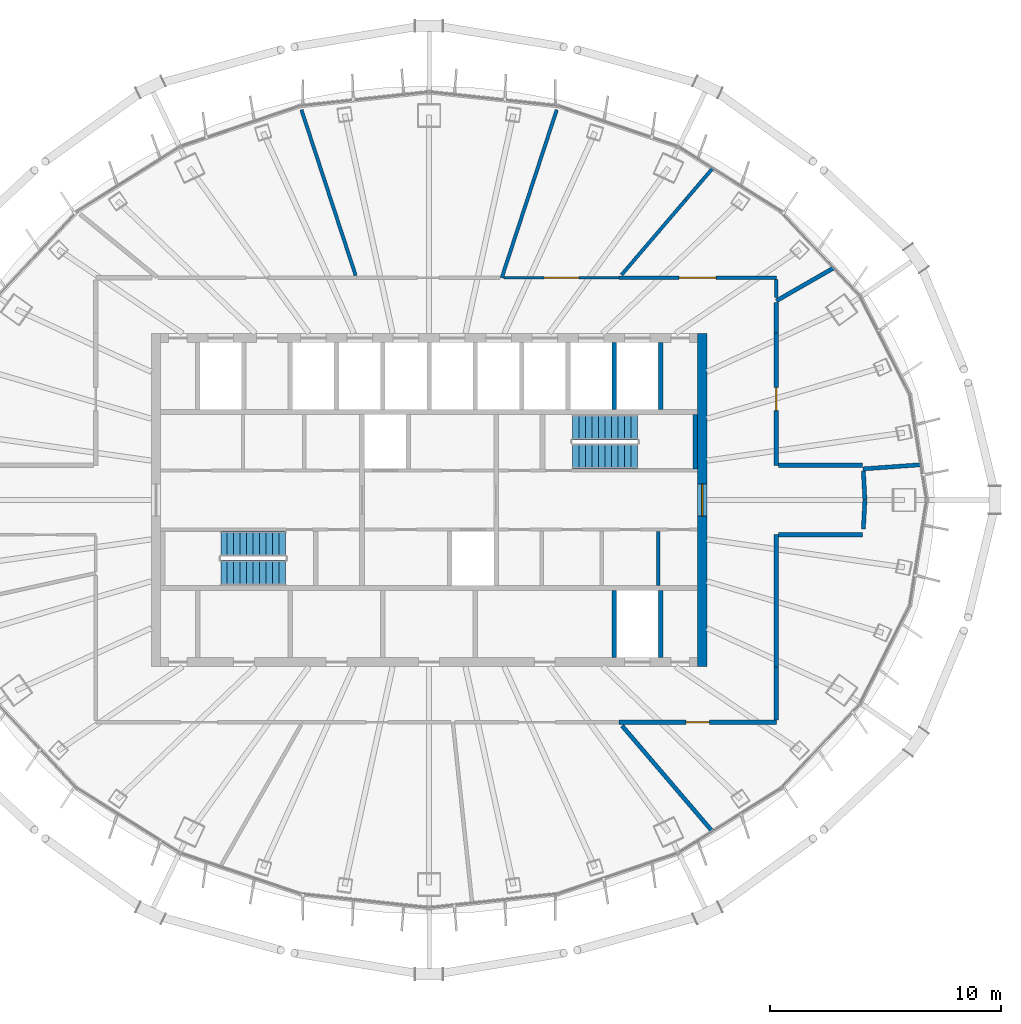
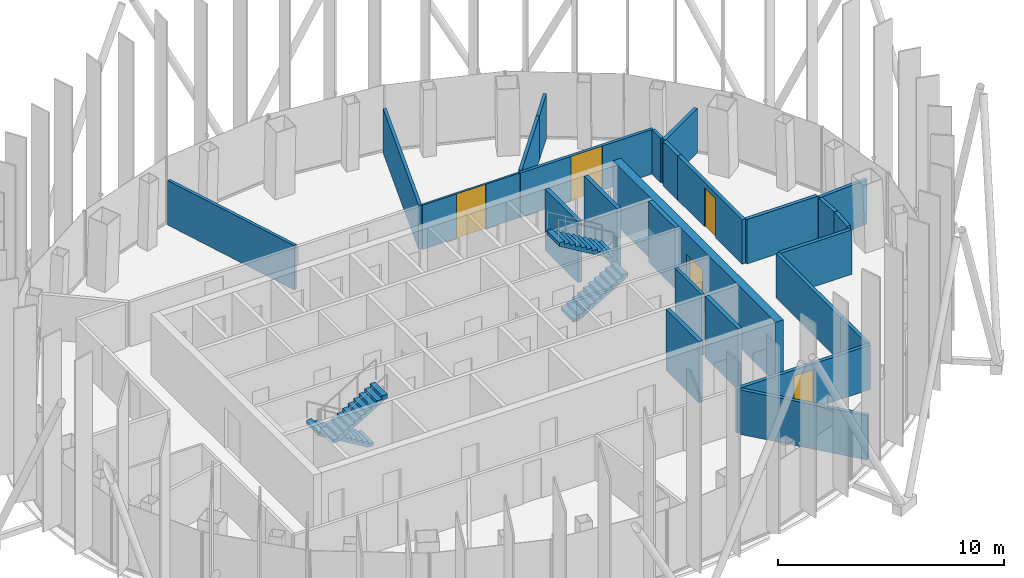
# One storey, part 12 of 20: 26 walls, 5 doors, 4 stair flights, 5 openings, 2 elements without a shape of their own.
"""IFC4 building model written with IfcOpenShell, lengths in metres."""

import ifcopenshell
import ifcopenshell.guid

model = None  # the IFC model being written
_history = None  # IfcOwnerHistory: only IFC2X3 demands one
_inside = {}  # id of a spatial element -> (the spatial element, [elements in it])
_under = {}  # id of a project, library or spatial element -> (it, [spatial elements below it])
_declared = {}  # id of a project -> (the project, [libraries it declares])
_typed = {}  # id of a type object -> (the type object, [elements of that type])
_made_of = {}  # id of a material, layer set ... -> (it, [elements and type objects made of it])


def new_model(schema):
    """Start an empty IFC model of exactly this schema.

    Asked for "IFC4X3", IfcOpenShell would pick the latest addendum, in which some entities
    have other attributes; the version numbers below select the first issue.
    IFC2X3 requires an IfcOwnerHistory on every rooted entity: one is made here for all.
    """
    global model, _history
    if schema == "IFC4X3":
        model = ifcopenshell.file(schema_version=(4, 3, 0, 0))
    else:
        model = ifcopenshell.file(schema=schema)
    _inside.clear()
    _under.clear()
    _declared.clear()
    _typed.clear()
    _made_of.clear()
    _history = None
    if model.schema == "IFC2X3":
        org = make("IfcOrganization", Name="unknown")
        user = make(
            "IfcPersonAndOrganization",
            ThePerson=make("IfcPerson", FamilyName="unknown"),
            TheOrganization=org,
        )
        app = make(
            "IfcApplication",
            ApplicationDeveloper=org,
            Version="unknown",
            ApplicationFullName="unknown",
            ApplicationIdentifier="unknown",
        )
        _history = make(
            "IfcOwnerHistory",
            OwningUser=user,
            OwningApplication=app,
            ChangeAction="ADDED",
            CreationDate=0,
        )
    return model


def make(cls, **values):
    """One entity of the class cls with the attributes given. An attribute that is None is left unset."""
    return model.create_entity(
        cls, **{name: value for name, value in values.items() if value is not None}
    )


def rooted(cls, **values):
    """An entity with a GlobalId (a new one), such as an element, a storey or a relation."""
    return make(cls, GlobalId=ifcopenshell.guid.new(), OwnerHistory=_history, **values)


def si_unit(unit_type, name, prefix=None):
    """IfcSIUnit, for example si_unit("LENGTHUNIT", "METRE", prefix="MILLI")."""
    return make("IfcSIUnit", UnitType=unit_type, Prefix=prefix, Name=name)


def assignment(units):
    """IfcUnitAssignment: the units of a project."""
    return None if units is None else make("IfcUnitAssignment", Units=units)


def point(xyz):
    """IfcCartesianPoint."""
    return None if xyz is None else make("IfcCartesianPoint", Coordinates=xyz)


def direction(xyz):
    """IfcDirection."""
    return None if xyz is None else make("IfcDirection", DirectionRatios=xyz)


def frame(location, z_axis=None, x_axis=None):
    """IfcAxis2Placement3D, a coordinate frame: its origin and axes. An axis left out is left unset."""
    return make(
        "IfcAxis2Placement3D",
        Location=point(location),
        Axis=direction(z_axis),
        RefDirection=direction(x_axis),
    )


def frame_2d(location, x_axis=None):
    """IfcAxis2Placement2D, a coordinate frame in the plane: its origin and x axis."""
    return make(
        "IfcAxis2Placement2D", Location=point(location), RefDirection=direction(x_axis)
    )


def origin():
    """The frame at (0, 0, 0) with its axes left unset."""
    return frame((0.0, 0.0, 0.0))


def place(relative_to, where):
    """IfcLocalPlacement: puts the frame where relative to a parent placement (None: the world)."""
    return make(
        "IfcLocalPlacement", PlacementRelTo=relative_to, RelativePlacement=where
    )


def context(
    kind, dimensions, precision=None, world=None, true_north=None, identifier=None
):
    """IfcGeometricRepresentationContext, for example the 3D "Model" context."""
    return make(
        "IfcGeometricRepresentationContext",
        ContextIdentifier=identifier,
        ContextType=kind,
        CoordinateSpaceDimension=dimensions,
        Precision=precision,
        WorldCoordinateSystem=world,
        TrueNorth=true_north,
    )


def subcontext(parent, identifier, kind, view, scale=None):
    """IfcGeometricRepresentationSubContext, for example "Body" below "Model"."""
    return make(
        "IfcGeometricRepresentationSubContext",
        ContextIdentifier=identifier,
        ContextType=kind,
        ParentContext=parent,
        TargetScale=scale,
        TargetView=view,
    )


def project(units=None, contexts=None):
    """IfcProject with its units and contexts."""
    return rooted(
        "IfcProject",
        Name="project",
        RepresentationContexts=contexts,
        UnitsInContext=assignment(units),
    )


def spatial(cls, under=None, at=None, **own):
    """A site, building, storey or space (cls), placed at a placement, below another one or the project."""
    s = rooted(cls, ObjectPlacement=at, **own)
    if under is not None:
        _under.setdefault(under.id(), (under, []))[1].append(s)
    return s


def polyline(points):
    """IfcPolyline through the points."""
    return make("IfcPolyline", Points=[point(p) for p in points])


def profile(cls, at=None, kind="AREA", **sizes):
    """A parametric profile (cls). Its sizes go by their IFC names, for example OverallWidth=200.0."""
    return make(cls, ProfileType=kind, Position=at, **sizes)


def rectangle(**sizes):
    """IfcRectangleProfileDef."""
    return profile("IfcRectangleProfileDef", **sizes)


def outline(outer, holes=None, kind="AREA"):
    """IfcArbitraryClosedProfileDef: a profile drawn as a closed curve; with holes, ...WithVoids."""
    if holes is None:
        return make("IfcArbitraryClosedProfileDef", ProfileType=kind, OuterCurve=outer)
    return make(
        "IfcArbitraryProfileDefWithVoids",
        ProfileType=kind,
        OuterCurve=outer,
        InnerCurves=holes,
    )


def extrude(swept, where, along, depth):
    """IfcExtrudedAreaSolid: the profile swept, set in the frame where, extruded along a direction by depth."""
    return make(
        "IfcExtrudedAreaSolid",
        SweptArea=swept,
        Position=where,
        ExtrudedDirection=direction(along),
        Depth=depth,
    )


def shape(context_of_items, identifier, shape_type, items):
    """IfcShapeRepresentation: the items that make up one representation, for example the "Body"."""
    return make(
        "IfcShapeRepresentation",
        ContextOfItems=context_of_items,
        RepresentationIdentifier=identifier,
        RepresentationType=shape_type,
        Items=items,
    )


def material(Name=None, Category=None):
    """IfcMaterial."""
    return make("IfcMaterial", Name=Name, Category=Category)


def layer(
    of_material, thickness, ventilated=None, Name=None, Category=None, Priority=None
):
    """IfcMaterialLayer: one layer of a wall or slab, of a material (None: an air gap)."""
    return make(
        "IfcMaterialLayer",
        Material=of_material,
        LayerThickness=thickness,
        IsVentilated=ventilated,
        Name=Name,
        Category=Category,
        Priority=Priority,
    )


def layer_set(layers, Name=None):
    """IfcMaterialLayerSet."""
    return make("IfcMaterialLayerSet", MaterialLayers=layers, LayerSetName=Name)


def made_of(thing, what):
    """Note that an element or type object is made of a material, layer set ...; save() writes the relation."""
    if what is not None:
        _made_of.setdefault(what.id(), (what, []))[1].append(thing)
    return thing


def type_object(cls, material=None, **own):
    """A type object (cls), such as IfcWallType, which elements share."""
    return made_of(rooted(cls, **own), material)


def element(
    cls,
    number,
    at=None,
    inside=None,
    cuts=None,
    type_object=None,
    material=None,
    context=None,
    identifier="Body",
    shape_type=None,
    held_by="IfcProductDefinitionShape",
    body=None,
    shapes=None,
    **own,
):
    """One element of the class cls, such as IfcWall. Its Tag is "e" and its number.

    at: its placement. inside: the storey or other place that contains it. cuts: it is an
    opening in that element (IfcRelVoidsElement). A single representation is given by context,
    identifier, shape_type and body (its items); several are given by shapes. held_by: the class
    of the entity that holds the representations. save() writes the other relations.
    """
    e = rooted(cls, Tag="e%d" % number, ObjectPlacement=at, **own)
    if body is not None:
        shapes = [shape(context, identifier, shape_type, body)]
    if shapes is not None:
        e.Representation = make(held_by, Representations=shapes)
    if inside is not None:
        _inside.setdefault(inside.id(), (inside, []))[1].append(e)
    if cuts is not None:
        rooted(
            "IfcRelVoidsElement", RelatingBuildingElement=cuts, RelatedOpeningElement=e
        )
    if type_object is not None:
        _typed.setdefault(type_object.id(), (type_object, []))[1].append(e)
    return made_of(e, material)


def fill(opening, filler):
    """IfcRelFillsElement: the door or window that sits in an opening."""
    return rooted(
        "IfcRelFillsElement",
        RelatingOpeningElement=opening,
        RelatedBuildingElement=filler,
    )


def aggregate(whole, parts):
    """IfcRelAggregates: a whole, such as a stair, and the parts it consists of."""
    return rooted("IfcRelAggregates", RelatingObject=whole, RelatedObjects=parts)


def save(model, path):
    """Write the relations noted so far, then the file.

    IfcRelAggregates (storeys below a building ...), IfcRelContainedInSpatialStructure (elements
    in a storey), IfcRelDefinesByType, IfcRelAssociatesMaterial and IfcRelDeclares: one each for
    every whole, place, type object, material and project.
    """
    for whole, parts in _under.values():
        aggregate(whole, parts)
    for where, things in _inside.values():
        rooted(
            "IfcRelContainedInSpatialStructure",
            RelatedElements=things,
            RelatingStructure=where,
        )
    for kind, things in _typed.values():
        rooted("IfcRelDefinesByType", RelatedObjects=things, RelatingType=kind)
    for what, things in _made_of.values():
        rooted("IfcRelAssociatesMaterial", RelatedObjects=things, RelatingMaterial=what)
    for by, libraries in _declared.values():
        rooted("IfcRelDeclares", RelatingContext=by, RelatedDefinitions=libraries)
    model.write(path)


model = new_model("IFC4")

# Units and contexts
model_context = context("Model", 3, precision=1e-05, world=origin(), true_north=direction((0.0, 1.0)))
body_context = subcontext(model_context, "Body", "Model", "MODEL_VIEW")
ifc_project = project(units=[si_unit("LENGTHUNIT", "METRE"), si_unit("AREAUNIT", "SQUARE_METRE"), si_unit("VOLUMEUNIT", "CUBIC_METRE"), si_unit("PLANEANGLEUNIT", "RADIAN"), si_unit("MASSUNIT", "GRAM", prefix="KILO")], contexts=[model_context])

# Site, building, storey
site_placement = place(None, origin())
site = spatial("IfcSite", under=ifc_project, at=site_placement, CompositionType="ELEMENT")
building_placement = place(site_placement, origin())
building = spatial("IfcBuilding", under=site, at=building_placement, Name="Siaravel Broadcast Tower", CompositionType="ELEMENT")
storey_placement = place(building_placement, frame((0.0, 0.0, 228.199951171875)))
storey = spatial("IfcBuildingStorey", under=building, at=storey_placement, Name="L55", CompositionType="ELEMENT", Elevation=228.199951171875)

# Wall
ifc_material_1 = material(Name="Concrete blockwork", Category="masonry")
ifc_layer_1 = layer(ifc_material_1, 0.14990234375)
ifc_layer_set_1 = layer_set([ifc_layer_1], Name="Concrete blockwork")
wall_type_1 = type_object("IfcWallType", Name="Core partition 150", PredefinedType="PARTITIONING", material=ifc_layer_set_1)
wall_1_placement = place(storey_placement, frame((9.89501953125, -3.699951171875, 0.0), z_axis=(0.0, 0.0, 1.0), x_axis=(0.0, 1.0, 0.0)))
element("IfcWall", 1, at=wall_1_placement, inside=storey, type_object=wall_type_1, Name="L55 core partition PSE2", PredefinedType="PARTITIONING", context=body_context, shape_type="SweptSolid", body=[
    extrude(rectangle(XDim=2.349853515625, YDim=0.14990234375, at=frame_2d((1.1748046875, 0.0))), origin(), (0.0, 0.0, 1.0), 3.300048828125),
])

# Wall, opening, door
ifc_material_2 = material(Name="Concrete C60/75", Category="concrete")
ifc_layer_2 = layer(ifc_material_2, 0.39990234375)
ifc_layer_set_2 = layer_set([ifc_layer_2], Name="Concrete C60/75")
wall_type_2 = type_object("IfcWallType", Name="Core wall 400", PredefinedType="SHEAR", material=ifc_layer_set_2)
wall_2_placement = place(storey_placement, frame((11.800048828125, -7.199951171875, 0.0), z_axis=(0.0, 0.0, 1.0), x_axis=(0.0, 1.0, 0.0)))
wall_2 = element("IfcWall", 2, at=wall_2_placement, inside=storey, type_object=wall_type_2, Name="L55 core wall OE", PredefinedType="SHEAR", context=body_context, shape_type="SweptSolid", body=[
    extrude(rectangle(XDim=14.39990234375, YDim=0.39990234375, at=frame_2d((7.199951171875, 0.0))), origin(), (0.0, 0.0, 1.0), 3.300048828125),
])
opening_1_placement = place(wall_2_placement, frame((6.5, 0.0, 0.0)))
opening_1 = element("IfcOpeningElement", 3, at=opening_1_placement, cuts=wall_2, Name="Opening L55-DX-E", PredefinedType="OPENING", context=body_context, shape_type="SweptSolid", body=[
    extrude(rectangle(XDim=1.39990234375, YDim=2.199951171875, at=frame_2d((0.699951171875, 1.10009765625))), frame((0.0, 0.2099609375, 0.0), z_axis=(0.0, -1.0, 0.0), x_axis=(1.0, 0.0, 0.0)), (0.0, 0.0, 1.0), 0.419921875),
])
ifc_material_3 = material(Name="Steel", Category="steel")
door_type_1 = type_object("IfcDoorType", Name="Core exit door 1400", OperationType="DOUBLE_DOOR_SINGLE_SWING", PredefinedType="DOOR", material=ifc_material_3)
door_1_placement = place(opening_1_placement, origin())
door_1 = element("IfcDoor", 4, at=door_1_placement, inside=storey, type_object=door_type_1, Name="L55 door DX-E", OperationType="DOUBLE_DOOR_SINGLE_SWING", OverallHeight=2.199951171875, OverallWidth=1.39990234375, PredefinedType="DOOR", context=body_context, shape_type="SweptSolid", body=[
    extrude(rectangle(XDim=1.39990234375, YDim=2.199951171875, at=frame_2d((0.699951171875, 1.10009765625))), frame((0.0, 0.02490234375, 0.0), z_axis=(0.0, -1.0, 0.0), x_axis=(1.0, 0.0, 0.0)), (0.0, 0.0, 1.0), 0.050048828125),
])
fill(opening_1, door_1)

ifc_material_4 = material(Name="Gypsum board partition", Category="gypsum")
ifc_layer_3 = layer(ifc_material_4, 0.14990234375)
ifc_layer_set_3 = layer_set([ifc_layer_3], Name="Gypsum board partition")
wall_type_3 = type_object("IfcWallType", Name="Corridor wall 150", PredefinedType="PARTITIONING", material=ifc_layer_set_3)
wall_3_placement = place(storey_placement, frame((15.0, 9.60009765625, 0.0), z_axis=(0.0, 0.0, 1.0), x_axis=(-1.0, 0.0, 0.0)))
wall_3 = element("IfcWall", 5, at=wall_3_placement, inside=storey, type_object=wall_type_3, Name="L55 partition 9", PredefinedType="PARTITIONING", context=body_context, shape_type="SweptSolid", body=[
    extrude(rectangle(XDim=6.79345703125, YDim=0.14990234375, at=frame_2d((3.396728515625, 0.0))), origin(), (0.0, 0.0, 1.0), 2.400146484375),
])
opening_2_placement = place(wall_3_placement, frame((2.5966796875, 0.0, 0.0)))
opening_2 = element("IfcOpeningElement", 6, at=opening_2_placement, cuts=wall_3, Name="Opening L55-006", PredefinedType="OPENING", context=body_context, shape_type="SweptSolid", body=[
    extrude(rectangle(XDim=1.60009765625, YDim=2.39990234375, at=frame_2d((0.800048828125, 1.199951171875))), frame((0.0, 0.0849609375, 0.0), z_axis=(0.0, -1.0, 0.0), x_axis=(1.0, 0.0, 0.0)), (0.0, 0.0, 1.0), 0.169921875),
])
ifc_material_5 = material(Name="Timber veneer", Category="wood")
door_type_2 = type_object("IfcDoorType", Name="Restaurant double door 1600", OperationType="DOUBLE_DOOR_SINGLE_SWING", PredefinedType="DOOR", material=ifc_material_5)
door_2_placement = place(opening_2_placement, origin())
door_2 = element("IfcDoor", 7, at=door_2_placement, inside=storey, type_object=door_type_2, Name="L55 door to Lounge", OperationType="DOUBLE_DOOR_SINGLE_SWING", OverallHeight=2.39990234375, OverallWidth=1.60009765625, PredefinedType="DOOR", context=body_context, shape_type="SweptSolid", body=[
    extrude(rectangle(XDim=1.60009765625, YDim=2.39990234375, at=frame_2d((0.800048828125, 1.199951171875))), frame((0.0, 0.02490234375, 0.0), z_axis=(0.0, -1.0, 0.0), x_axis=(1.0, 0.0, 0.0)), (0.0, 0.0, 1.0), 0.050048828125),
])
fill(opening_2, door_2)

# Wall
wall_4_placement = place(storey_placement, frame((15.0, 8.752197265625, 0.0), z_axis=(0.0, 0.0, 1.0), x_axis=(0.0, 1.0, 0.0)))
element("IfcWall", 8, at=wall_4_placement, inside=storey, type_object=wall_type_3, Name="L55 partition 39", PredefinedType="PARTITIONING", context=body_context, shape_type="SweptSolid", body=[
    extrude(rectangle(XDim=0.770751953125, YDim=0.14990234375, at=frame_2d((0.38525390625, 0.0))), origin(), (0.0, 0.0, 1.0), 2.400146484375),
])

# Wall, opening, door
ifc_material_6 = material(Name="Glazed aluminium partition", Category="aluminium")
ifc_layer_4 = layer(ifc_material_6, 0.10009765625)
ifc_layer_set_4 = layer_set([ifc_layer_4], Name="Glazed aluminium partition")
wall_type_4 = type_object("IfcWallType", Name="Glazed meeting room partition 100", PredefinedType="PARTITIONING", material=ifc_layer_set_4)
wall_5_placement = place(storey_placement, frame((8.20654296875, 9.60009765625, 0.0), z_axis=(0.0, 0.0, 1.0), x_axis=(-1.0, 0.0, 0.0)))
wall_5 = element("IfcWall", 9, at=wall_5_placement, inside=storey, type_object=wall_type_4, Name="L55 partition 17", PredefinedType="PARTITIONING", context=body_context, shape_type="SweptSolid", body=[
    extrude(rectangle(XDim=4.968994140625, YDim=0.10009765625, at=frame_2d((2.484375, 0.0))), origin(), (0.0, 0.0, 1.0), 2.400146484375),
])
opening_3_placement = place(wall_5_placement, frame((1.734375, 0.0, 0.0)))
opening_3 = element("IfcOpeningElement", 10, at=opening_3_placement, cuts=wall_5, Name="Opening L55-007", PredefinedType="OPENING", context=body_context, shape_type="SweptSolid", body=[
    extrude(rectangle(XDim=1.5, YDim=2.39990234375, at=frame_2d((0.75, 1.199951171875))), frame((0.0, 0.06005859375, 0.0), z_axis=(0.0, -1.0, 0.0), x_axis=(1.0, 0.0, 0.0)), (0.0, 0.0, 1.0), 0.1201171875),
])
door_type_3 = type_object("IfcDoorType", Name="Conference double door 1500", OperationType="DOUBLE_DOOR_SINGLE_SWING", PredefinedType="DOOR", material=ifc_material_5)
door_3_placement = place(opening_3_placement, origin())
door_3 = element("IfcDoor", 11, at=door_3_placement, inside=storey, type_object=door_type_3, Name="L55 door to Boardroom", OperationType="DOUBLE_DOOR_SINGLE_SWING", OverallHeight=2.39990234375, OverallWidth=1.5, PredefinedType="DOOR", context=body_context, shape_type="SweptSolid", body=[
    extrude(rectangle(XDim=1.5, YDim=2.39990234375, at=frame_2d((0.75, 1.199951171875))), frame((0.0, 0.02490234375, 0.0), z_axis=(0.0, -1.0, 0.0), x_axis=(1.0, 0.0, 0.0)), (0.0, 0.0, 1.0), 0.050048828125),
])
fill(opening_3, door_3)

# Walls
ifc_layer_5 = layer(ifc_material_4, 0.14990234375)
ifc_layer_set_5 = layer_set([ifc_layer_5], Name="Gypsum board partition")
wall_type_5 = type_object("IfcWallType", Name="Room partition 150", PredefinedType="PARTITIONING", material=ifc_layer_set_5)
wall_6_placement = place(storey_placement, frame((-5.514892578125, 16.858642578125, 0.0), z_axis=(0.0, 0.0, 1.0), x_axis=(0.310923007, -0.950435102, 0.0)))
element("IfcWall", 12, at=wall_6_placement, inside=storey, type_object=wall_type_5, Name="L55 partition 4", PredefinedType="PARTITIONING", context=body_context, shape_type="SweptSolid", body=[
    extrude(rectangle(XDim=7.53173828125, YDim=0.14990234375, at=frame_2d((3.765869140625, 0.0))), origin(), (0.0, 0.0, 1.0), 2.400146484375),
])
wall_7_placement = place(storey_placement, frame((5.5146484375, 16.85791015625, 0.0), z_axis=(0.0, 0.0, 1.0), x_axis=(-0.31091882, -0.950436472, 0.0)))
element("IfcWall", 13, at=wall_7_placement, inside=storey, type_object=wall_type_5, Name="L55 partition 5", PredefinedType="PARTITIONING", context=body_context, shape_type="SweptSolid", body=[
    extrude(rectangle(XDim=7.63623046875, YDim=0.14990234375, at=frame_2d((3.818115234375, 0.0))), origin(), (0.0, 0.0, 1.0), 2.400146484375),
])
wall_8_placement = place(storey_placement, frame((11.07861328125, 12.9599609375, 0.0), z_axis=(0.0, 0.0, 1.0), x_axis=(-0.649789169, -0.760114489, 0.0)))
element("IfcWall", 14, at=wall_8_placement, inside=storey, type_object=wall_type_5, Name="L55 partition 18", PredefinedType="PARTITIONING", context=body_context, shape_type="SweptSolid", body=[
    extrude(rectangle(XDim=4.25537109375, YDim=0.14990234375, at=frame_2d((2.127685546875, 0.0))), origin(), (0.0, 0.0, 1.0), 2.400146484375),
])
wall_9_placement = place(storey_placement, frame((12.224365234375, 14.30029296875, 0.0), z_axis=(0.0, 0.0, 1.0), x_axis=(-0.649741126, -0.760155556, 0.0)))
element("IfcWall", 15, at=wall_9_placement, inside=storey, type_object=wall_type_5, Name="L55 partition 32", PredefinedType="PARTITIONING", context=body_context, shape_type="SweptSolid", body=[
    extrude(rectangle(XDim=1.76220703125, YDim=0.14990234375, at=frame_2d((0.881103515625, 0.0))), origin(), (0.0, 0.0, 1.0), 2.400146484375),
])

# Wall, opening, door
ifc_layer_6 = layer(ifc_material_1, 0.179931640625)
ifc_layer_set_6 = layer_set([ifc_layer_6], Name="Concrete blockwork")
wall_type_6 = type_object("IfcWallType", Name="Service room fire partition 180", PredefinedType="PARTITIONING", material=ifc_layer_set_6)
wall_10_placement = place(storey_placement, frame((8.20654296875, -9.60009765625, 0.0), z_axis=(0.0, 0.0, 1.0), x_axis=(1.0, 0.0, 0.0)))
wall_10 = element("IfcWall", 16, at=wall_10_placement, inside=storey, type_object=wall_type_6, Name="L55 partition 8", PredefinedType="PARTITIONING", context=body_context, shape_type="SweptSolid", body=[
    extrude(rectangle(XDim=6.79345703125, YDim=0.179931640625, at=frame_2d((3.396728515625, 0.0))), origin(), (0.0, 0.0, 1.0), 2.400146484375),
])
opening_4_placement = place(wall_10_placement, frame((2.896728515625, 0.0, 0.0)))
opening_4 = element("IfcOpeningElement", 17, at=opening_4_placement, cuts=wall_10, Name="Opening L55-004", PredefinedType="OPENING", context=body_context, shape_type="SweptSolid", body=[
    extrude(rectangle(XDim=1.0, YDim=2.10009765625, at=frame_2d((0.5, 1.050048828125))), frame((0.0, 0.099853515625, 0.0), z_axis=(0.0, -1.0, 0.0), x_axis=(1.0, 0.0, 0.0)), (0.0, 0.0, 1.0), 0.199951171875),
])
door_type_4 = type_object("IfcDoorType", Name="Service room door 1000", OperationType="SINGLE_SWING_LEFT", PredefinedType="DOOR", material=ifc_material_3)
door_4_placement = place(opening_4_placement, origin())
door_4 = element("IfcDoor", 18, at=door_4_placement, inside=storey, type_object=door_type_4, Name="L55 door to Library", OperationType="SINGLE_SWING_RIGHT", OverallHeight=2.10009765625, OverallWidth=1.0, PredefinedType="DOOR", context=body_context, shape_type="SweptSolid", body=[
    extrude(rectangle(XDim=1.0, YDim=2.10009765625, at=frame_2d((0.5, 1.050048828125))), frame((0.0, 0.02490234375, 0.0), z_axis=(0.0, -1.0, 0.0), x_axis=(1.0, 0.0, 0.0)), (0.0, 0.0, 1.0), 0.050048828125),
])
fill(opening_4, door_4)

# Walls
wall_11_placement = place(storey_placement, frame((12.2255859375, -14.3017578125, 0.0), z_axis=(0.0, 0.0, 1.0), x_axis=(-0.649766711, 0.760133686, 0.0)))
element("IfcWall", 19, at=wall_11_placement, inside=storey, type_object=wall_type_6, Name="L55 partition 13", PredefinedType="PARTITIONING", context=body_context, shape_type="SweptSolid", body=[
    extrude(rectangle(XDim=5.988037109375, YDim=0.179931640625, at=frame_2d((2.994140625, 0.0))), origin(), (0.0, 0.0, 1.0), 2.400146484375),
])
wall_12_placement = place(storey_placement, frame((15.0, -7.2119140625, 0.0), z_axis=(0.0, 0.0, 1.0), x_axis=(0.0, 1.0, 0.0)))
element("IfcWall", 20, at=wall_12_placement, inside=storey, type_object=wall_type_6, Name="L55 partition 15", PredefinedType="PARTITIONING", context=body_context, shape_type="SweptSolid", body=[
    extrude(rectangle(XDim=5.7119140625, YDim=0.179931640625, at=frame_2d((2.85595703125, 0.0))), origin(), (0.0, 0.0, 1.0), 2.400146484375),
])

# Wall, opening, door
wall_13_placement = place(storey_placement, frame((15.0, 1.5, 0.0), z_axis=(0.0, 0.0, 1.0), x_axis=(0.0, 1.0, 0.0)))
wall_13 = element("IfcWall", 21, at=wall_13_placement, inside=storey, type_object=wall_type_6, Name="L55 partition 16", PredefinedType="PARTITIONING", context=body_context, shape_type="SweptSolid", body=[
    extrude(rectangle(XDim=5.7119140625, YDim=0.179931640625, at=frame_2d((2.85595703125, 0.0))), origin(), (0.0, 0.0, 1.0), 2.400146484375),
])
opening_5_placement = place(wall_13_placement, frame((2.35595703125, 0.0, 0.0)))
opening_5 = element("IfcOpeningElement", 22, at=opening_5_placement, cuts=wall_13, Name="Opening L55-005", PredefinedType="OPENING", context=body_context, shape_type="SweptSolid", body=[
    extrude(rectangle(XDim=1.0, YDim=2.10009765625, at=frame_2d((0.5, 1.050048828125))), frame((0.0, 0.099853515625, 0.0), z_axis=(0.0, -1.0, 0.0), x_axis=(1.0, 0.0, 0.0)), (0.0, 0.0, 1.0), 0.199951171875),
])
door_5_placement = place(opening_5_placement, origin())
door_5 = element("IfcDoor", 23, at=door_5_placement, inside=storey, type_object=door_type_4, Name="L55 door to Library", OperationType="SINGLE_SWING_LEFT", OverallHeight=2.10009765625, OverallWidth=1.0, PredefinedType="DOOR", context=body_context, shape_type="SweptSolid", body=[
    extrude(rectangle(XDim=1.0, YDim=2.10009765625, at=frame_2d((0.5, 1.050048828125))), frame((0.0, 0.02490234375, 0.0), z_axis=(0.0, -1.0, 0.0), x_axis=(1.0, 0.0, 0.0)), (0.0, 0.0, 1.0), 0.050048828125),
])
fill(opening_5, door_5)

# Walls
for number, where, z_axis, x_axis, name in (
    (24, (15.092041015625, -1.5, 0.0), (0.0, 0.0, 1.0), (1.0, 0.0, 0.0), "L55 partition 23"),
    (25, (18.721923828125, 1.5, 0.0), (0.0, 0.0, 1.0), (-1.0, 0.0, 0.0), "L55 partition 24"),
):
    element("IfcWall", number, at=place(storey_placement, frame(where, z_axis=z_axis, x_axis=x_axis)), inside=storey, type_object=wall_type_6, Name=name, PredefinedType="PARTITIONING", context=body_context, shape_type="SweptSolid", body=[
        extrude(rectangle(XDim=3.6298828125, YDim=0.179931640625, at=frame_2d((1.81494140625, 0.0))), origin(), (0.0, 0.0, 1.0), 2.400146484375),
    ])
wall_14_placement = place(storey_placement, frame((17.465576171875, 10.017333984375, 0.0), z_axis=(0.0, 0.0, 1.0), x_axis=(-0.867459752, -0.497507365, 0.0)))
element("IfcWall", 26, at=wall_14_placement, inside=storey, type_object=wall_type_6, Name="L55 partition 25", PredefinedType="PARTITIONING", context=body_context, shape_type="SweptSolid", body=[
    extrude(rectangle(XDim=2.84228515625, YDim=0.179931640625, at=frame_2d((1.421142578125, 0.0))), origin(), (0.0, 0.0, 1.0), 2.400146484375),
])
wall_15_placement = place(storey_placement, frame((21.250244140625, 1.52294921875, 0.0), z_axis=(0.0, 0.0, 1.0), x_axis=(-0.997440396, -0.071502847, 0.0)))
element("IfcWall", 27, at=wall_15_placement, inside=storey, type_object=wall_type_6, Name="L55 partition 27", PredefinedType="PARTITIONING", context=body_context, shape_type="SweptSolid", body=[
    extrude(rectangle(XDim=2.509521484375, YDim=0.179931640625, at=frame_2d((1.2548828125, 0.0))), origin(), (0.0, 0.0, 1.0), 2.400146484375),
])
wall_16_placement = place(storey_placement, frame((15.0, -9.508056640625, 0.0), z_axis=(0.0, 0.0, 1.0), x_axis=(0.0, 1.0, 0.0)))
element("IfcWall", 28, at=wall_16_placement, inside=storey, type_object=wall_type_6, Name="L55 partition 31", PredefinedType="PARTITIONING", context=body_context, shape_type="SweptSolid", body=[
    extrude(rectangle(XDim=2.295166015625, YDim=0.179931640625, at=frame_2d((1.1474609375, 0.0))), origin(), (0.0, 0.0, 1.0), 2.400146484375),
])
wall_17_placement = place(storey_placement, frame((15.0, 7.212890625, 0.0), z_axis=(0.0, 0.0, 1.0), x_axis=(0.0, 1.0, 0.0)))
element("IfcWall", 29, at=wall_17_placement, inside=storey, type_object=wall_type_6, Name="L55 partition 34", PredefinedType="PARTITIONING", context=body_context, shape_type="SweptSolid", body=[
    extrude(rectangle(XDim=1.310302734375, YDim=0.179931640625, at=frame_2d((0.6552734375, 0.0))), origin(), (0.0, 0.0, 1.0), 2.400146484375),
])
wall_18_placement = place(storey_placement, frame((18.828369140625, 0.0, 0.0), z_axis=(0.0, 0.0, 1.0), x_axis=(-0.053151512, 0.998586459, 0.0)))
element("IfcWall", 30, at=wall_18_placement, inside=storey, type_object=wall_type_6, Name="L55 partition 36", PredefinedType="PARTITIONING", context=body_context, shape_type="SweptSolid", body=[
    extrude(rectangle(XDim=1.25390625, YDim=0.179931640625, at=frame_2d((0.626953125, 0.0))), origin(), (0.0, 0.0, 1.0), 2.400146484375),
])
wall_19_placement = place(storey_placement, frame((18.76171875, -1.253173828125, 0.0), z_axis=(0.0, 0.0, 1.0), x_axis=(0.053218479, 0.998582893, 0.0)))
element("IfcWall", 31, at=wall_19_placement, inside=storey, type_object=wall_type_6, Name="L55 partition 38", PredefinedType="PARTITIONING", context=body_context, shape_type="SweptSolid", body=[
    extrude(rectangle(XDim=1.2431640625, YDim=0.179931640625, at=frame_2d((0.62158203125, 0.0))), origin(), (0.0, 0.0, 1.0), 2.400146484375),
])
ifc_layer_7 = layer(ifc_material_2, 0.199951171875)
ifc_layer_set_7 = layer_set([ifc_layer_7], Name="Concrete C60/75")
wall_type_7 = type_object("IfcWallType", Name="Shaft wall 200", PredefinedType="SHEAR", material=ifc_layer_set_7)
for number, where, z_axis, x_axis, name in (
    (32, (8.0, -6.800048828125, 0.0), (0.0, 0.0, 1.0), (0.0, 1.0, 0.0), "L55 core wall SWS9"),
    (33, (10.0, -6.800048828125, 0.0), (0.0, 0.0, 1.0), (0.0, 1.0, 0.0), "L55 core wall SWS10"),
    (34, (8.0, 3.89990234375, 0.0), (0.0, 0.0, 1.0), (0.0, 1.0, 0.0), "L55 core wall SWN9"),
    (35, (10.0, 3.89990234375, 0.0), (0.0, 0.0, 1.0), (0.0, 1.0, 0.0), "L55 core wall SWN10"),
):
    element("IfcWall", number, at=place(storey_placement, frame(where, z_axis=z_axis, x_axis=x_axis)), inside=storey, type_object=wall_type_7, Name=name, PredefinedType="SHEAR", context=body_context, shape_type="SweptSolid", body=[
        extrude(rectangle(XDim=2.900146484375, YDim=0.199951171875, at=frame_2d((1.4501953125, 0.0))), origin(), (0.0, 0.0, 1.0), 3.300048828125),
    ])
wall_20_placement = place(storey_placement, frame((11.5, 1.35009765625, 0.0), z_axis=(0.0, 0.0, 1.0), x_axis=(0.0, 1.0, 0.0)))
element("IfcWall", 36, at=wall_20_placement, inside=storey, type_object=wall_type_7, Name="L55 core wall ST2E", PredefinedType="SHEAR", context=body_context, shape_type="SweptSolid", body=[
    extrude(rectangle(XDim=2.349853515625, YDim=0.199951171875, at=frame_2d((1.1748046875, 0.0))), origin(), (0.0, 0.0, 1.0), 3.300048828125),
])

# Stair, stair flights
ifc_material_7 = material(Name="Concrete C40/50", Category="concrete")
stair_type = type_object("IfcStairType", Name="Core exit stair", PredefinedType="HALF_TURN_STAIR", material=ifc_material_7)
stair_1_placement = place(storey_placement, origin())
stair_1 = element("IfcStair", 37, at=stair_1_placement, inside=storey, type_object=stair_type, Name="L55 Exit stair ST-1", PredefinedType="HALF_TURN_STAIR")
stair_flight_type = type_object("IfcStairFlightType", Name="Stair flight 1100", PredefinedType="STRAIGHT", material=ifc_material_7)
stair_flight_1_placement = place(storey_placement, frame((-6.199951171875, -1.89990234375, 0.0), z_axis=(0.0, 0.0, 1.0), x_axis=(-1.0, 0.0, 0.0)))
stair_flight_1 = element("IfcStairFlight", 38, at=stair_flight_1_placement, type_object=stair_flight_type, Name="ST-1 flight 1", NumberOfRisers=11, NumberOfTreads=10, PredefinedType="STRAIGHT", RiserHeight=0.1681818, TreadLength=0.28, context=body_context, shape_type="SweptSolid", body=[
    extrude(outline(polyline([(0.0, 0.0), (0.0, 0.168212890625), (0.280029296875, 0.168212890625), (0.280029296875, 0.33642578125), (0.56005859375, 0.33642578125), (0.56005859375, 0.504638671875), (0.840087890625, 0.504638671875), (0.840087890625, 0.672607421875), (1.1201171875, 0.672607421875), (1.1201171875, 0.8408203125), (1.39990234375, 0.8408203125), (1.39990234375, 1.009033203125), (1.679931640625, 1.009033203125), (1.679931640625, 1.17724609375), (1.9599609375, 1.17724609375), (1.9599609375, 1.345458984375), (2.239990234375, 1.345458984375), (2.239990234375, 1.513671875), (2.52001953125, 1.513671875), (2.52001953125, 1.681884765625), (2.800048828125, 1.681884765625), (2.800048828125, 1.85009765625), (2.800048828125, 1.5068359375), (0.291015625, 0.0), (0.0, 0.0)])), frame((0.0, 0.550048828125, 0.0), z_axis=(0.0, -1.0, 0.0), x_axis=(1.0, 0.0, 0.0)), (0.0, 0.0, 1.0), 1.10009765625),
])
stair_flight_2_placement = place(storey_placement, frame((-9.0, -3.14990234375, 1.85009765625), z_axis=(0.0, 0.0, 1.0), x_axis=(1.0, 0.0, 0.0)))
stair_flight_2 = element("IfcStairFlight", 39, at=stair_flight_2_placement, type_object=stair_flight_type, Name="ST-1 flight 2", NumberOfRisers=11, NumberOfTreads=10, PredefinedType="STRAIGHT", RiserHeight=0.1681818, TreadLength=0.28, context=body_context, shape_type="SweptSolid", body=[
    extrude(outline(polyline([(0.0, 0.0), (0.0, 0.168212890625), (0.280029296875, 0.168212890625), (0.280029296875, 0.33642578125), (0.56005859375, 0.33642578125), (0.56005859375, 0.504638671875), (0.840087890625, 0.504638671875), (0.840087890625, 0.672607421875), (1.1201171875, 0.672607421875), (1.1201171875, 0.8408203125), (1.39990234375, 0.8408203125), (1.39990234375, 1.009033203125), (1.679931640625, 1.009033203125), (1.679931640625, 1.17724609375), (1.9599609375, 1.17724609375), (1.9599609375, 1.345458984375), (2.239990234375, 1.345458984375), (2.239990234375, 1.513671875), (2.52001953125, 1.513671875), (2.52001953125, 1.681884765625), (2.800048828125, 1.681884765625), (2.800048828125, 1.85009765625), (2.800048828125, 1.5068359375), (0.291015625, 0.0), (0.0, 0.0)])), frame((0.0, 0.550048828125, 0.0), z_axis=(0.0, -1.0, 0.0), x_axis=(1.0, 0.0, 0.0)), (0.0, 0.0, 1.0), 1.10009765625),
])
aggregate(stair_1, [stair_flight_1, stair_flight_2])

stair_2_placement = place(storey_placement, origin())
stair_2 = element("IfcStair", 40, at=stair_2_placement, inside=storey, type_object=stair_type, Name="L55 Exit stair ST-2", PredefinedType="HALF_TURN_STAIR")
stair_flight_3_placement = place(storey_placement, frame((6.199951171875, 1.89990234375, 0.0), z_axis=(0.0, 0.0, 1.0), x_axis=(1.0, 0.0, 0.0)))
stair_flight_3 = element("IfcStairFlight", 41, at=stair_flight_3_placement, type_object=stair_flight_type, Name="ST-2 flight 1", NumberOfRisers=11, NumberOfTreads=10, PredefinedType="STRAIGHT", RiserHeight=0.1681818, TreadLength=0.28, context=body_context, shape_type="SweptSolid", body=[
    extrude(outline(polyline([(0.0, 0.0), (0.0, 0.168212890625), (0.280029296875, 0.168212890625), (0.280029296875, 0.33642578125), (0.56005859375, 0.33642578125), (0.56005859375, 0.504638671875), (0.840087890625, 0.504638671875), (0.840087890625, 0.672607421875), (1.1201171875, 0.672607421875), (1.1201171875, 0.8408203125), (1.39990234375, 0.8408203125), (1.39990234375, 1.009033203125), (1.679931640625, 1.009033203125), (1.679931640625, 1.17724609375), (1.9599609375, 1.17724609375), (1.9599609375, 1.345458984375), (2.239990234375, 1.345458984375), (2.239990234375, 1.513671875), (2.52001953125, 1.513671875), (2.52001953125, 1.681884765625), (2.800048828125, 1.681884765625), (2.800048828125, 1.85009765625), (2.800048828125, 1.5068359375), (0.291015625, 0.0), (0.0, 0.0)])), frame((0.0, 0.550048828125, 0.0), z_axis=(0.0, -1.0, 0.0), x_axis=(1.0, 0.0, 0.0)), (0.0, 0.0, 1.0), 1.10009765625),
])
stair_flight_4_placement = place(storey_placement, frame((9.0, 3.14990234375, 1.85009765625), z_axis=(0.0, 0.0, 1.0), x_axis=(-1.0, 0.0, 0.0)))
stair_flight_4 = element("IfcStairFlight", 42, at=stair_flight_4_placement, type_object=stair_flight_type, Name="ST-2 flight 2", NumberOfRisers=11, NumberOfTreads=10, PredefinedType="STRAIGHT", RiserHeight=0.1681818, TreadLength=0.28, context=body_context, shape_type="SweptSolid", body=[
    extrude(outline(polyline([(0.0, 0.0), (0.0, 0.168212890625), (0.280029296875, 0.168212890625), (0.280029296875, 0.33642578125), (0.56005859375, 0.33642578125), (0.56005859375, 0.504638671875), (0.840087890625, 0.504638671875), (0.840087890625, 0.672607421875), (1.1201171875, 0.672607421875), (1.1201171875, 0.8408203125), (1.39990234375, 0.8408203125), (1.39990234375, 1.009033203125), (1.679931640625, 1.009033203125), (1.679931640625, 1.17724609375), (1.9599609375, 1.17724609375), (1.9599609375, 1.345458984375), (2.239990234375, 1.345458984375), (2.239990234375, 1.513671875), (2.52001953125, 1.513671875), (2.52001953125, 1.681884765625), (2.800048828125, 1.681884765625), (2.800048828125, 1.85009765625), (2.800048828125, 1.5068359375), (0.291015625, 0.0), (0.0, 0.0)])), frame((0.0, 0.550048828125, 0.0), z_axis=(0.0, -1.0, 0.0), x_axis=(1.0, 0.0, 0.0)), (0.0, 0.0, 1.0), 1.10009765625),
])
aggregate(stair_2, [stair_flight_3, stair_flight_4])

save(model, "model.ifc")
